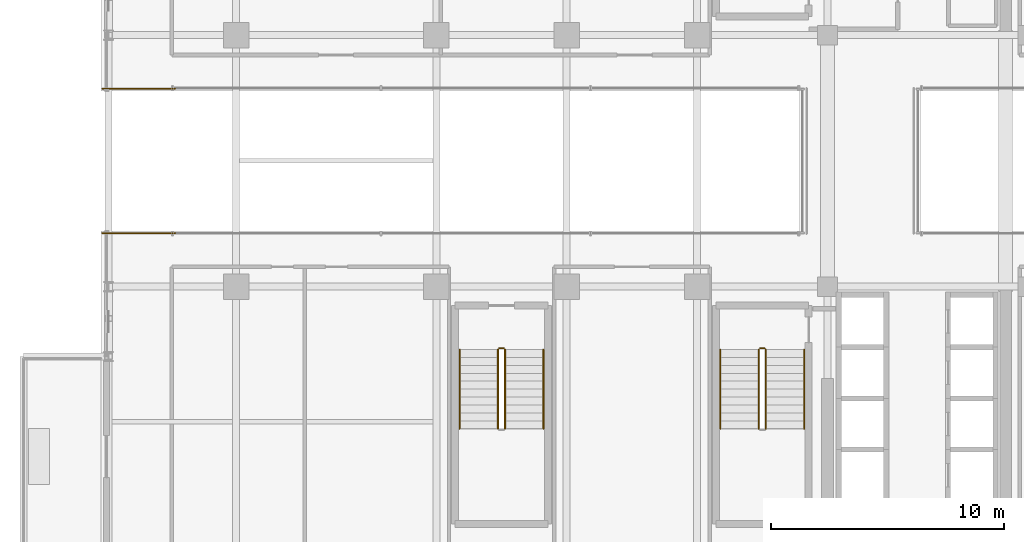
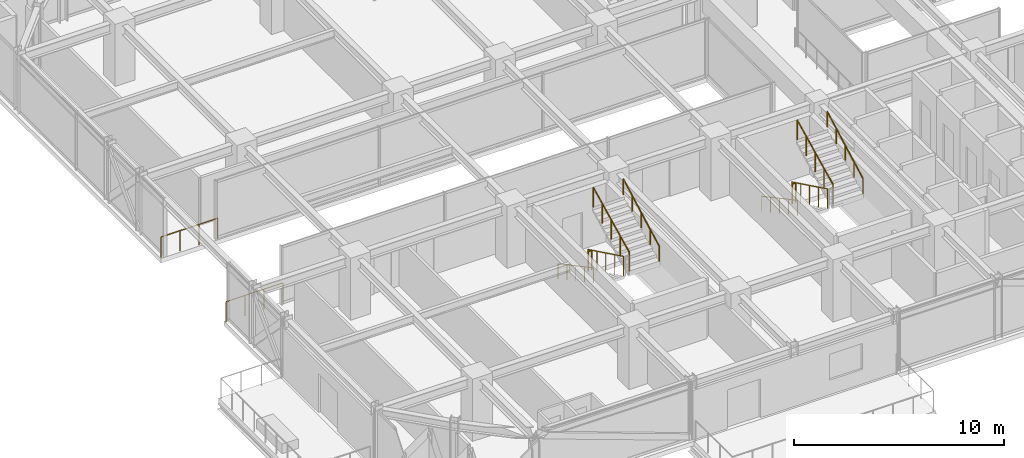
# One storey, part 33 of 35: 12 railings.
"""IFC4 building model written with IfcOpenShell, lengths in metres."""

from ifc_helpers import new_model, si_unit, direction, frame, origin, origin_2d, place, context, subcontext, project, spatial, circle, extrude, material, type_object, element, save


model = new_model("IFC4")

# Units and contexts
model_context = context("Model", 3, precision=1e-05, world=origin(), true_north=direction((0.0, 1.0)))
body_context = subcontext(model_context, "Body", "Model", "MODEL_VIEW")
ifc_project = project(units=[si_unit("LENGTHUNIT", "METRE"), si_unit("AREAUNIT", "SQUARE_METRE"), si_unit("VOLUMEUNIT", "CUBIC_METRE"), si_unit("PLANEANGLEUNIT", "RADIAN"), si_unit("MASSUNIT", "GRAM", prefix="KILO")], contexts=[model_context])

# Site, building, storey
site_placement = place(None, origin())
site = spatial("IfcSite", under=ifc_project, at=site_placement, CompositionType="ELEMENT")
building_placement = place(site_placement, origin())
building = spatial("IfcBuilding", under=site, at=building_placement, Name="Nahalor Promenade Grand Hotel", CompositionType="ELEMENT")
storey_placement = place(building_placement, frame((0.0, 0.0, 185.5)))
storey = spatial("IfcBuildingStorey", under=building, at=storey_placement, Name="L47", CompositionType="ELEMENT", Elevation=185.5)

# Railings
ifc_material_1 = material(Name="Anodised Bronze Aluminium EN AW-6063 T6", Category="aluminium")
railing_type_1 = type_object("IfcRailingType", Name="Bronze Balcony Guardrail 1200 mm", PredefinedType="GUARDRAIL", material=ifc_material_1)
for number, where, name in (
    (1, (-22.739990234375, -3.09912109375, 0.0), "L47 Oculus Void Edge Guardrail WS"),
    (2, (-22.739990234375, 3.09912109375, 0.0), "L47 Oculus Void Edge Guardrail WN"),
):
    element("IfcRailing", number, at=place(storey_placement, frame(where)), inside=storey, type_object=railing_type_1, Name=name, PredefinedType="GUARDRAIL", context=body_context, shape_type="SweptSolid", body=[
        extrude(circle(Radius=0.024048, at=origin_2d()), frame((0.0, 0.0, 1.17578125), z_axis=(1.0, 0.0, 0.0), x_axis=(0.0, 1.0, 0.0)), (0.0, 0.0, 1.0), 3.119873046875),
        extrude(circle(Radius=0.020996, at=origin_2d()), origin(), (0.0, 0.0, 1.0), 1.14990234375),
        extrude(circle(Radius=0.020996, at=origin_2d()), frame((1.0400390625, 0.0, 0.0)), (0.0, 0.0, 1.0), 1.14990234375),
        extrude(circle(Radius=0.020996, at=origin_2d()), frame((2.079833984375, 0.0, 0.0)), (0.0, 0.0, 1.0), 1.14990234375),
        extrude(circle(Radius=0.020996, at=origin_2d()), frame((3.119873046875, 0.0, 0.0)), (0.0, 0.0, 1.0), 1.14990234375),
    ])
ifc_material_2 = material(Name="Steel S355JR", Category="steel")
railing_type_2 = type_object("IfcRailingType", Name="Steel Stair Guardrail 1150 mm", PredefinedType="GUARDRAIL", material=ifc_material_2)
railing_1_placement = place(storey_placement, frame((5.449951171875, -8.10009765625, 0.166015625)))
element("IfcRailing", 3, at=railing_1_placement, inside=storey, type_object=railing_type_2, Name="L47 ST2 stair guard 1", PredefinedType="GUARDRAIL", context=body_context, shape_type="SweptSolid", body=[
    extrude(circle(Radius=0.024048, at=origin_2d()), frame((0.0, 0.0, 1.1259765625), z_axis=(0.0, -0.898721922897, 0.438518990814), x_axis=(1.0, 0.0, 0.0)), (0.0, 0.0, 1.0), 3.782958984375),
    extrude(circle(Radius=0.020996, at=origin_2d()), origin(), (0.0, 0.0, 1.0), 1.099853515625),
    extrude(circle(Radius=0.020996, at=origin_2d()), frame((0.0, -0.85009765625, 0.414794921875)), (0.0, 0.0, 1.0), 1.099853515625),
    extrude(circle(Radius=0.020996, at=origin_2d()), frame((0.0, -1.699951171875, 0.82958984375)), (0.0, 0.0, 1.0), 1.099853515625),
    extrude(circle(Radius=0.020996, at=origin_2d()), frame((0.0, -2.5498046875, 1.244140625)), (0.0, 0.0, 1.0), 1.099853515625),
    extrude(circle(Radius=0.020996, at=origin_2d()), frame((0.0, -3.39990234375, 1.658935546875)), (0.0, 0.0, 1.0), 1.099853515625),
])
railing_2_placement = place(storey_placement, frame((5.75, -11.5, 1.990966796875)))
element("IfcRailing", 4, at=railing_2_placement, inside=storey, type_object=railing_type_2, Name="L47 ST2 stair guard 3", PredefinedType="GUARDRAIL", context=body_context, shape_type="SweptSolid", body=[
    extrude(circle(Radius=0.024048, at=origin_2d()), frame((0.0, 0.0, 1.1259765625), z_axis=(0.0, 0.898721922897, 0.438518990814), x_axis=(-1.0, 0.0, 0.0)), (0.0, 0.0, 1.0), 3.782958984375),
    extrude(circle(Radius=0.020996, at=origin_2d()), origin(), (0.0, 0.0, 1.0), 1.099853515625),
    extrude(circle(Radius=0.020996, at=origin_2d()), frame((0.0, 0.85009765625, 0.414794921875)), (0.0, 0.0, 1.0), 1.099853515625),
    extrude(circle(Radius=0.020996, at=origin_2d()), frame((0.0, 1.699951171875, 0.82958984375)), (0.0, 0.0, 1.0), 1.099853515625),
    extrude(circle(Radius=0.020996, at=origin_2d()), frame((0.0, 2.5498046875, 1.244140625)), (0.0, 0.0, 1.0), 1.099853515625),
    extrude(circle(Radius=0.020996, at=origin_2d()), frame((0.0, 3.39990234375, 1.658935546875)), (0.0, 0.0, 1.0), 1.099853515625),
])
railing_3_placement = place(storey_placement, frame((5.5, -8.050048828125, 0.0)))
element("IfcRailing", 5, at=railing_3_placement, inside=storey, type_object=railing_type_2, Name="L47 ST2 stair guard 4", PredefinedType="GUARDRAIL", context=body_context, shape_type="SweptSolid", body=[
    extrude(circle(Radius=0.024048, at=origin_2d()), frame((0.0, 0.0, 1.1259765625), z_axis=(1.0, 0.0, 0.0), x_axis=(0.0, 1.0, 0.0)), (0.0, 0.0, 1.0), 0.199951171875),
    extrude(circle(Radius=0.020996, at=origin_2d()), origin(), (0.0, 0.0, 1.0), 1.099853515625),
    extrude(circle(Radius=0.020996, at=origin_2d()), frame((0.199951171875, 0.0, 0.0)), (0.0, 0.0, 1.0), 1.099853515625),
])
railing_4_placement = place(storey_placement, frame((-5.75, -8.10009765625, 0.166015625)))
element("IfcRailing", 6, at=railing_4_placement, inside=storey, type_object=railing_type_2, Name="L47 ST3 stair guard 1", PredefinedType="GUARDRAIL", context=body_context, shape_type="SweptSolid", body=[
    extrude(circle(Radius=0.024048, at=origin_2d()), frame((0.0, 0.0, 1.1259765625), z_axis=(0.0, -0.898721922897, 0.438518990814), x_axis=(1.0, 0.0, 0.0)), (0.0, 0.0, 1.0), 3.782958984375),
    extrude(circle(Radius=0.020996, at=origin_2d()), origin(), (0.0, 0.0, 1.0), 1.099853515625),
    extrude(circle(Radius=0.020996, at=origin_2d()), frame((0.0, -0.85009765625, 0.414794921875)), (0.0, 0.0, 1.0), 1.099853515625),
    extrude(circle(Radius=0.020996, at=origin_2d()), frame((0.0, -1.699951171875, 0.82958984375)), (0.0, 0.0, 1.0), 1.099853515625),
    extrude(circle(Radius=0.020996, at=origin_2d()), frame((0.0, -2.5498046875, 1.244140625)), (0.0, 0.0, 1.0), 1.099853515625),
    extrude(circle(Radius=0.020996, at=origin_2d()), frame((0.0, -3.39990234375, 1.658935546875)), (0.0, 0.0, 1.0), 1.099853515625),
])
railing_5_placement = place(storey_placement, frame((-5.449951171875, -11.5, 1.990966796875)))
element("IfcRailing", 7, at=railing_5_placement, inside=storey, type_object=railing_type_2, Name="L47 ST3 stair guard 3", PredefinedType="GUARDRAIL", context=body_context, shape_type="SweptSolid", body=[
    extrude(circle(Radius=0.024048, at=origin_2d()), frame((0.0, 0.0, 1.1259765625), z_axis=(0.0, 0.898721922897, 0.438518990814), x_axis=(-1.0, 0.0, 0.0)), (0.0, 0.0, 1.0), 3.782958984375),
    extrude(circle(Radius=0.020996, at=origin_2d()), origin(), (0.0, 0.0, 1.0), 1.099853515625),
    extrude(circle(Radius=0.020996, at=origin_2d()), frame((0.0, 0.85009765625, 0.414794921875)), (0.0, 0.0, 1.0), 1.099853515625),
    extrude(circle(Radius=0.020996, at=origin_2d()), frame((0.0, 1.699951171875, 0.82958984375)), (0.0, 0.0, 1.0), 1.099853515625),
    extrude(circle(Radius=0.020996, at=origin_2d()), frame((0.0, 2.5498046875, 1.244140625)), (0.0, 0.0, 1.0), 1.099853515625),
    extrude(circle(Radius=0.020996, at=origin_2d()), frame((0.0, 3.39990234375, 1.658935546875)), (0.0, 0.0, 1.0), 1.099853515625),
])
railing_6_placement = place(storey_placement, frame((-5.699951171875, -8.050048828125, 0.0)))
element("IfcRailing", 8, at=railing_6_placement, inside=storey, type_object=railing_type_2, Name="L47 ST3 stair guard 4", PredefinedType="GUARDRAIL", context=body_context, shape_type="SweptSolid", body=[
    extrude(circle(Radius=0.024048, at=origin_2d()), frame((0.0, 0.0, 1.1259765625), z_axis=(1.0, 0.0, 0.0), x_axis=(0.0, 1.0, 0.0)), (0.0, 0.0, 1.0), 0.199951171875),
    extrude(circle(Radius=0.020996, at=origin_2d()), origin(), (0.0, 0.0, 1.0), 1.099853515625),
    extrude(circle(Radius=0.020996, at=origin_2d()), frame((0.199951171875, 0.0, 0.0)), (0.0, 0.0, 1.0), 1.099853515625),
])
railing_type_3 = type_object("IfcRailingType", Name="Steel Stair Handrail 900 mm", PredefinedType="HANDRAIL", material=ifc_material_2)
railing_7_placement = place(storey_placement, frame((3.800048828125, -8.10009765625, 0.166015625)))
element("IfcRailing", 9, at=railing_7_placement, inside=storey, type_object=railing_type_3, Name="L47 ST2 stair handrail 1", PredefinedType="HANDRAIL", context=body_context, shape_type="SweptSolid", body=[
    extrude(circle(Radius=0.024048, at=origin_2d()), frame((0.0, 0.0, 0.8759765625), z_axis=(0.0, -0.881094038095, 0.47294111265), x_axis=(1.0, 0.0, 0.0)), (0.0, 0.0, 1.0), 3.858642578125),
    extrude(circle(Radius=0.020996, at=origin_2d()), origin(), (0.0, 0.0, 1.0), 0.849853515625),
    extrude(circle(Radius=0.020996, at=origin_2d()), frame((0.0, -0.85009765625, 0.456298828125)), (0.0, 0.0, 1.0), 0.849853515625),
    extrude(circle(Radius=0.020996, at=origin_2d()), frame((0.0, -1.699951171875, 0.91259765625)), (0.0, 0.0, 1.0), 0.849853515625),
    extrude(circle(Radius=0.020996, at=origin_2d()), frame((0.0, -2.5498046875, 1.36865234375)), (0.0, 0.0, 1.0), 0.849853515625),
    extrude(circle(Radius=0.020996, at=origin_2d()), frame((0.0, -3.39990234375, 1.824951171875)), (0.0, 0.0, 1.0), 0.849853515625),
])
railing_8_placement = place(storey_placement, frame((7.39990234375, -11.5, 1.990966796875)))
element("IfcRailing", 10, at=railing_8_placement, inside=storey, type_object=railing_type_3, Name="L47 ST2 stair handrail 2", PredefinedType="HANDRAIL", context=body_context, shape_type="SweptSolid", body=[
    extrude(circle(Radius=0.024048, at=origin_2d()), frame((0.0, 0.0, 0.8759765625), z_axis=(0.0, 0.881094038095, 0.47294111265), x_axis=(-1.0, 0.0, 0.0)), (0.0, 0.0, 1.0), 3.858642578125),
    extrude(circle(Radius=0.020996, at=origin_2d()), origin(), (0.0, 0.0, 1.0), 0.849853515625),
    extrude(circle(Radius=0.020996, at=origin_2d()), frame((0.0, 0.85009765625, 0.456298828125)), (0.0, 0.0, 1.0), 0.849853515625),
    extrude(circle(Radius=0.020996, at=origin_2d()), frame((0.0, 1.699951171875, 0.91259765625)), (0.0, 0.0, 1.0), 0.849853515625),
    extrude(circle(Radius=0.020996, at=origin_2d()), frame((0.0, 2.5498046875, 1.36865234375)), (0.0, 0.0, 1.0), 0.849853515625),
    extrude(circle(Radius=0.020996, at=origin_2d()), frame((0.0, 3.39990234375, 1.824951171875)), (0.0, 0.0, 1.0), 0.849853515625),
])
railing_9_placement = place(storey_placement, frame((-7.39990234375, -8.10009765625, 0.166015625)))
element("IfcRailing", 11, at=railing_9_placement, inside=storey, type_object=railing_type_3, Name="L47 ST3 stair handrail 1", PredefinedType="HANDRAIL", context=body_context, shape_type="SweptSolid", body=[
    extrude(circle(Radius=0.024048, at=origin_2d()), frame((0.0, 0.0, 0.8759765625), z_axis=(0.0, -0.881094038095, 0.47294111265), x_axis=(1.0, 0.0, 0.0)), (0.0, 0.0, 1.0), 3.858642578125),
    extrude(circle(Radius=0.020996, at=origin_2d()), origin(), (0.0, 0.0, 1.0), 0.849853515625),
    extrude(circle(Radius=0.020996, at=origin_2d()), frame((0.0, -0.85009765625, 0.456298828125)), (0.0, 0.0, 1.0), 0.849853515625),
    extrude(circle(Radius=0.020996, at=origin_2d()), frame((0.0, -1.699951171875, 0.91259765625)), (0.0, 0.0, 1.0), 0.849853515625),
    extrude(circle(Radius=0.020996, at=origin_2d()), frame((0.0, -2.5498046875, 1.36865234375)), (0.0, 0.0, 1.0), 0.849853515625),
    extrude(circle(Radius=0.020996, at=origin_2d()), frame((0.0, -3.39990234375, 1.824951171875)), (0.0, 0.0, 1.0), 0.849853515625),
])
railing_10_placement = place(storey_placement, frame((-3.800048828125, -11.5, 1.990966796875)))
element("IfcRailing", 12, at=railing_10_placement, inside=storey, type_object=railing_type_3, Name="L47 ST3 stair handrail 2", PredefinedType="HANDRAIL", context=body_context, shape_type="SweptSolid", body=[
    extrude(circle(Radius=0.024048, at=origin_2d()), frame((0.0, 0.0, 0.8759765625), z_axis=(0.0, 0.881094038095, 0.47294111265), x_axis=(-1.0, 0.0, 0.0)), (0.0, 0.0, 1.0), 3.858642578125),
    extrude(circle(Radius=0.020996, at=origin_2d()), origin(), (0.0, 0.0, 1.0), 0.849853515625),
    extrude(circle(Radius=0.020996, at=origin_2d()), frame((0.0, 0.85009765625, 0.456298828125)), (0.0, 0.0, 1.0), 0.849853515625),
    extrude(circle(Radius=0.020996, at=origin_2d()), frame((0.0, 1.699951171875, 0.91259765625)), (0.0, 0.0, 1.0), 0.849853515625),
    extrude(circle(Radius=0.020996, at=origin_2d()), frame((0.0, 2.5498046875, 1.36865234375)), (0.0, 0.0, 1.0), 0.849853515625),
    extrude(circle(Radius=0.020996, at=origin_2d()), frame((0.0, 3.39990234375, 1.824951171875)), (0.0, 0.0, 1.0), 0.849853515625),
])

save(model, "model.ifc")
